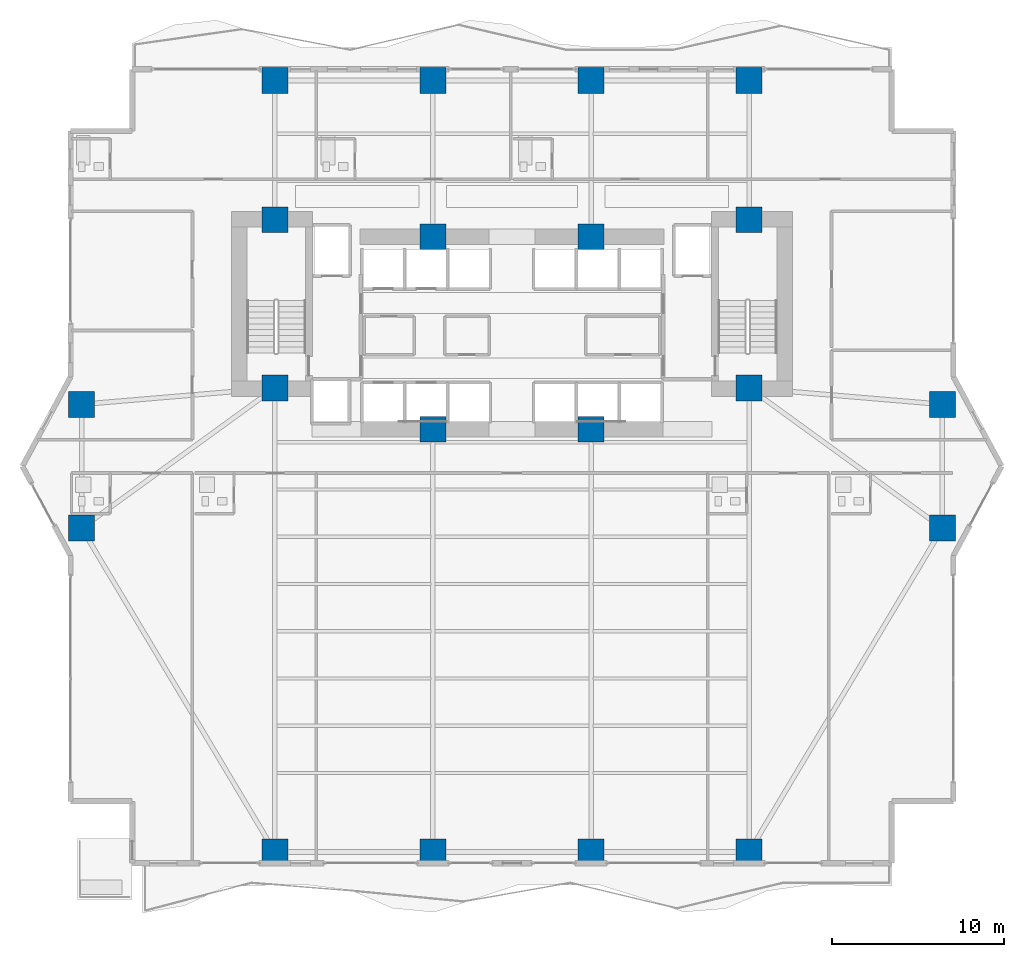
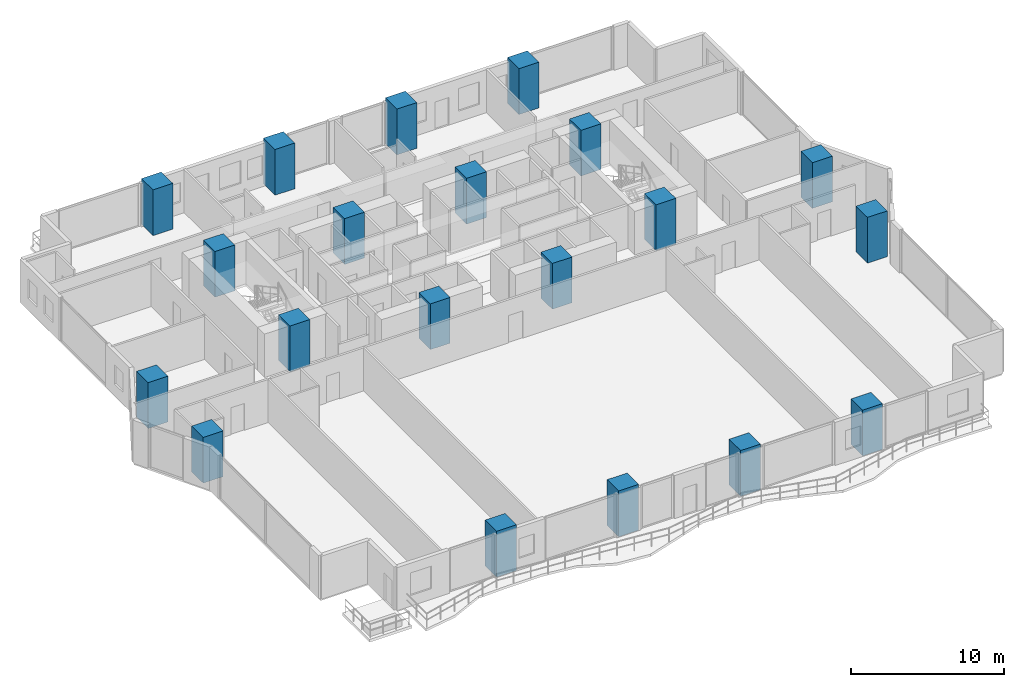
# One storey, part 1 of 28: 20 columns.
"""IFC4 building model written with IfcOpenShell, lengths in metres."""

from ifc_helpers import new_model, si_unit, direction, frame, origin, origin_2d, place, context, subcontext, project, spatial, rectangle, extrude, material, material_profile, profile_set, type_object, element, save


model = new_model("IFC4")

# Units and contexts
model_context = context("Model", 3, precision=1e-05, world=origin(), true_north=direction((0.0, 1.0)))
body_context = subcontext(model_context, "Body", "Model", "MODEL_VIEW")
ifc_project = project(units=[si_unit("LENGTHUNIT", "METRE"), si_unit("AREAUNIT", "SQUARE_METRE"), si_unit("VOLUMEUNIT", "CUBIC_METRE"), si_unit("PLANEANGLEUNIT", "RADIAN"), si_unit("MASSUNIT", "GRAM", prefix="KILO")], contexts=[model_context])

# Site, building, storey
site_placement = place(None, origin())
site = spatial("IfcSite", under=ifc_project, at=site_placement, CompositionType="ELEMENT")
building_placement = place(site_placement, origin())
building = spatial("IfcBuilding", under=site, at=building_placement, Name="Zuhayl Quay Hotel", CompositionType="ELEMENT")
storey_placement = place(building_placement, frame((0.0, 0.0, 71.39990234375)))
storey = spatial("IfcBuildingStorey", under=building, at=storey_placement, Name="L17", CompositionType="ELEMENT", Elevation=71.39990234375)

# Columns
ifc_material = material(Name="Concrete C70/85", Category="concrete")
ifc_material_profile_1 = material_profile(ifc_material, rectangle(XDim=1.5, YDim=1.5, at=origin_2d()), Name="RC1500X1500")
ifc_profile_set_1 = profile_set([ifc_material_profile_1], Name="Concrete C70/85")
column_type_1 = type_object("IfcColumnType", Name="CL_CC1_1500", PredefinedType="COLUMN", material=ifc_profile_set_1)
for number, where, z_axis, x_axis, name in (
    (1, (-13.800048828125, 14.35009765625, 0.0), (0.0, 0.0, 1.0), (1.0, 0.0, 0.0), "L17 Core Column CC_NW"),
    (2, (-4.60009765625, 13.35009765625, 0.0), (0.0, 0.0, 1.0), (1.0, 0.0, 0.0), "L17 Core Column CC_CNW"),
    (3, (4.60009765625, 13.35009765625, 0.0), (0.0, 0.0, 1.0), (1.0, 0.0, 0.0), "L17 Core Column CC_CNE"),
    (4, (13.800048828125, 14.35009765625, 0.0), (0.0, 0.0, 1.0), (1.0, 0.0, 0.0), "L17 Core Column CC_NE"),
    (5, (-13.800048828125, 4.550048828125, 0.0), (0.0, 0.0, 1.0), (1.0, 0.0, 0.0), "L17 Core Column CC_SW"),
    (6, (-4.60009765625, 2.14990234375, 0.0), (0.0, 0.0, 1.0), (1.0, 0.0, 0.0), "L17 Core Column CC_CSW"),
    (7, (4.60009765625, 2.14990234375, 0.0), (0.0, 0.0, 1.0), (1.0, 0.0, 0.0), "L17 Core Column CC_CSE"),
    (8, (13.800048828125, 4.550048828125, 0.0), (0.0, 0.0, 1.0), (1.0, 0.0, 0.0), "L17 Core Column CC_SE"),
):
    element("IfcColumn", number, at=place(storey_placement, frame(where, z_axis=z_axis, x_axis=x_axis)), inside=storey, type_object=column_type_1, Name=name, PredefinedType="COLUMN", context=body_context, shape_type="SweptSolid", body=[
        extrude(rectangle(XDim=1.5, YDim=1.5, at=origin_2d()), origin(), (0.0, 0.0, 1.0), 3.650146484375),
    ])
ifc_material_profile_2 = material_profile(ifc_material, rectangle(XDim=1.5, YDim=1.5, at=origin_2d()), Name="RC1500X1500")
ifc_profile_set_2 = profile_set([ifc_material_profile_2], Name="Concrete C70/85")
column_type_2 = type_object("IfcColumnType", Name="CL_MC1_1500", PredefinedType="COLUMN", material=ifc_profile_set_2)
for number, where, z_axis, x_axis, name in (
    (9, (-13.800048828125, -22.449951171875, 0.0), (0.0, 0.0, 1.0), (1.0, 0.0, 0.0), "L17 Mega-Column MC_S1"),
    (10, (-4.60009765625, -22.449951171875, 0.0), (0.0, 0.0, 1.0), (1.0, 0.0, 0.0), "L17 Mega-Column MC_S2"),
    (11, (4.60009765625, -22.449951171875, 0.0), (0.0, 0.0, 1.0), (1.0, 0.0, 0.0), "L17 Mega-Column MC_S3"),
    (12, (13.800048828125, -22.449951171875, 0.0), (0.0, 0.0, 1.0), (1.0, 0.0, 0.0), "L17 Mega-Column MC_S4"),
    (13, (-13.800048828125, 22.449951171875, 0.0), (0.0, 0.0, 1.0), (1.0, 0.0, 0.0), "L17 Mega-Column MC_N1"),
    (14, (-4.60009765625, 22.449951171875, 0.0), (0.0, 0.0, 1.0), (1.0, 0.0, 0.0), "L17 Mega-Column MC_N2"),
    (15, (4.60009765625, 22.449951171875, 0.0), (0.0, 0.0, 1.0), (1.0, 0.0, 0.0), "L17 Mega-Column MC_N3"),
    (16, (13.800048828125, 22.449951171875, 0.0), (0.0, 0.0, 1.0), (1.0, 0.0, 0.0), "L17 Mega-Column MC_N4"),
    (17, (-25.050048828125, -3.60009765625, 0.0), (0.0, 0.0, 1.0), (1.0, 0.0, 0.0), "L17 Mega-Column MC_W1"),
    (18, (-25.050048828125, 3.60009765625, 0.0), (0.0, 0.0, 1.0), (1.0, 0.0, 0.0), "L17 Mega-Column MC_W2"),
    (19, (25.050048828125, -3.60009765625, 0.0), (0.0, 0.0, 1.0), (1.0, 0.0, 0.0), "L17 Mega-Column MC_E1"),
    (20, (25.050048828125, 3.60009765625, 0.0), (0.0, 0.0, 1.0), (1.0, 0.0, 0.0), "L17 Mega-Column MC_E2"),
):
    element("IfcColumn", number, at=place(storey_placement, frame(where, z_axis=z_axis, x_axis=x_axis)), inside=storey, type_object=column_type_2, Name=name, PredefinedType="COLUMN", context=body_context, shape_type="SweptSolid", body=[
        extrude(rectangle(XDim=1.5, YDim=1.5, at=origin_2d()), origin(), (0.0, 0.0, 1.0), 3.650146484375),
    ])

save(model, "model.ifc")
